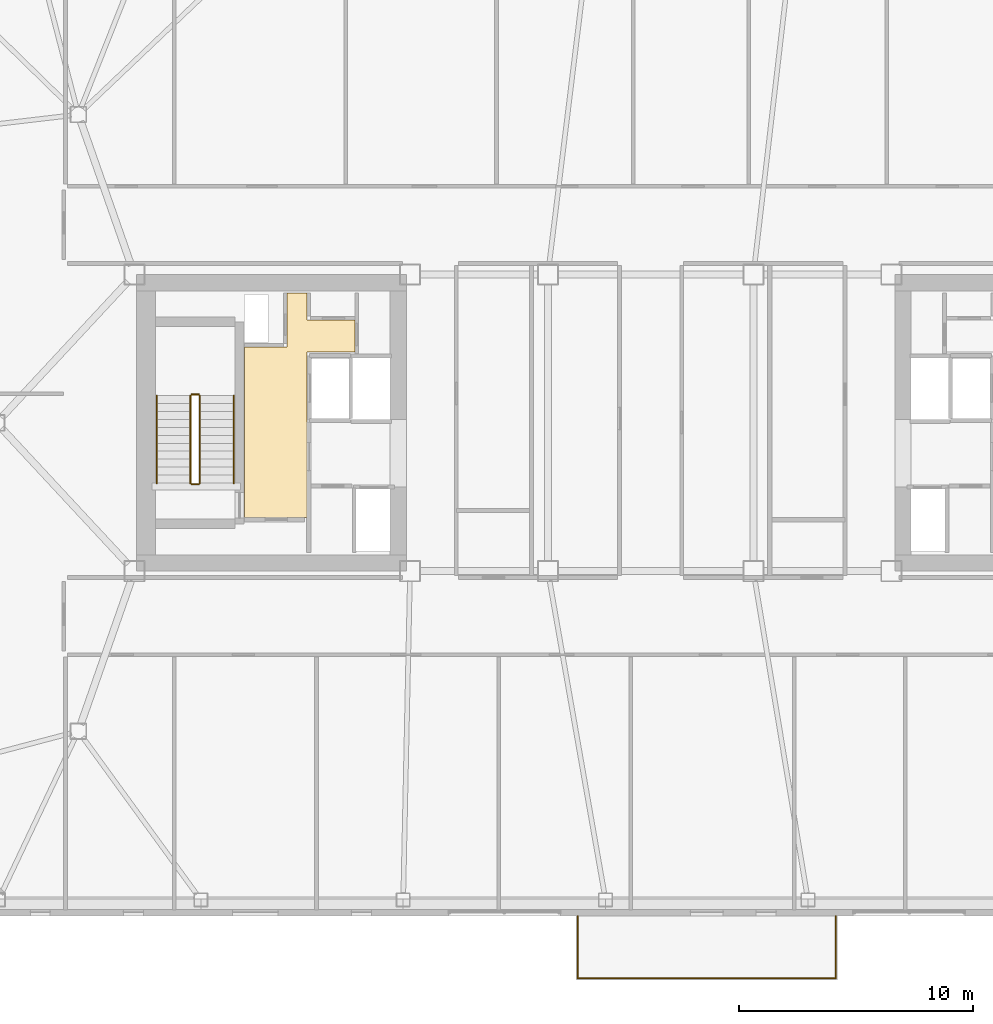
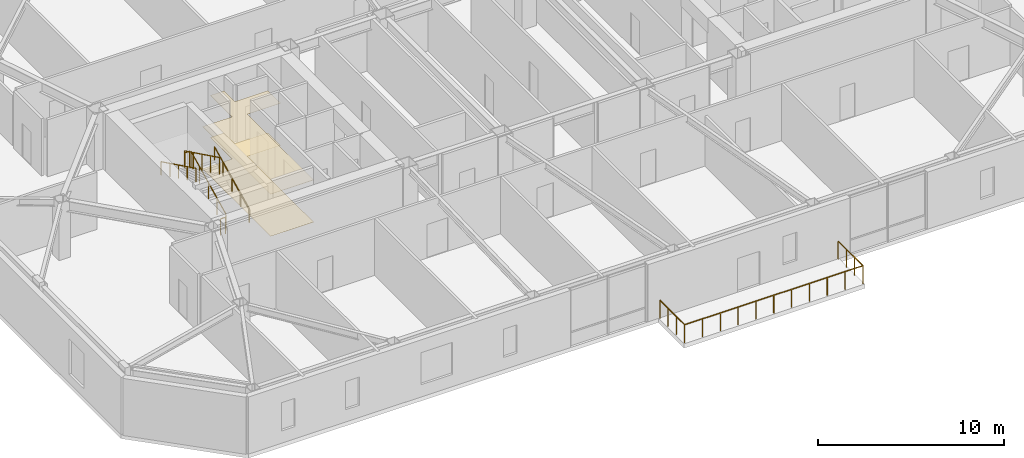
# One storey, part 18 of 19: 7 railings, 2 coverings.
"""IFC4 building model written with IfcOpenShell, lengths in metres."""

from ifc_helpers import new_model, si_unit, direction, frame, origin, origin_2d, place, context, subcontext, project, spatial, polyline, rectangle, outline, extrude, material, layer, layer_set, type_object, element, save


model = new_model("IFC4")

# Units and contexts
model_context = context("Model", 3, precision=1e-05, world=origin(), true_north=direction((0.0, 1.0)))
body_context = subcontext(model_context, "Body", "Model", "MODEL_VIEW")
ifc_project = project(units=[si_unit("LENGTHUNIT", "METRE"), si_unit("AREAUNIT", "SQUARE_METRE"), si_unit("VOLUMEUNIT", "CUBIC_METRE"), si_unit("PLANEANGLEUNIT", "RADIAN"), si_unit("MASSUNIT", "GRAM", prefix="KILO")], contexts=[model_context])

# Site, building, storey
site_placement = place(None, origin())
site = spatial("IfcSite", under=ifc_project, at=site_placement, CompositionType="ELEMENT")
building_placement = place(site_placement, origin())
building = spatial("IfcBuilding", under=site, at=building_placement, Name="Tavrogorsk Clinical Tower", CompositionType="ELEMENT")
storey_placement = place(building_placement, frame((0.0, 0.0, 188.199951171875)))
storey = spatial("IfcBuildingStorey", under=building, at=storey_placement, Name="L43", CompositionType="ELEMENT", Elevation=188.199951171875)

# Coverings
ifc_material_1 = material(Name="Antibacterial micro-perforated aluminium ceiling", Category="aluminium")
ifc_layer_1 = layer(ifc_material_1, 0.014892578125)
ifc_layer_set_1 = layer_set([ifc_layer_1], Name="Antibacterial micro-perforated aluminium ceiling")
covering_type_1 = type_object("IfcCoveringType", Name="ClinicalCeiling_15", PredefinedType="CEILING", material=ifc_layer_set_1)
covering_1_placement = place(storey_placement, frame((0.0, 0.0, 2.75)))
element("IfcCovering", 1, at=covering_1_placement, inside=storey, type_object=covering_type_1, Name="Core West Firefighting Lift Lobby Acoustic Ceiling", PredefinedType="CEILING", context=body_context, shape_type="SweptSolid", body=[
    extrude(outline(polyline([(-17.3798828125, -4.06005859375), (-17.3798828125, 3.239990234375), (-15.56005859375, 3.239990234375), (-15.56005859375, 5.56005859375), (-14.719970703125, 5.56005859375), (-14.719970703125, 4.39990234375), (-12.659912109375, 4.39990234375), (-12.659912109375, 3.0400390625), (-14.719970703125, 3.0400390625), (-14.719970703125, -4.06005859375), (-17.3798828125, -4.06005859375)])), origin(), (0.0, 0.0, 1.0), 0.01513671875),
])
ifc_material_2 = material(Name="Homogeneous medical conductive PVC flooring")
ifc_layer_2 = layer(ifc_material_2, 0.008056640625)
ifc_layer_set_2 = layer_set([ifc_layer_2], Name="Homogeneous medical conductive PVC flooring")
covering_type_2 = type_object("IfcCoveringType", Name="ResilientVinylFloor_8", PredefinedType="FLOORING", material=ifc_layer_set_2)
covering_2_placement = place(storey_placement, origin())
element("IfcCovering", 2, at=covering_2_placement, inside=storey, type_object=covering_type_2, Name="Core West Firefighting Lift Lobby Conductive Vinyl Flooring", PredefinedType="FLOORING", context=body_context, shape_type="SweptSolid", body=[
    extrude(outline(polyline([(-17.3798828125, -4.06005859375), (-17.3798828125, 3.239990234375), (-15.56005859375, 3.239990234375), (-15.56005859375, 5.56005859375), (-14.719970703125, 5.56005859375), (-14.719970703125, 4.39990234375), (-12.659912109375, 4.39990234375), (-12.659912109375, 3.0400390625), (-14.719970703125, 3.0400390625), (-14.719970703125, -4.06005859375), (-17.3798828125, -4.06005859375)])), origin(), (0.0, 0.0, 1.0), 0.008056640625),
])

# Railings
ifc_material_3 = material(Name="Galvanised steel S355 safety stairwell guard", Category="steel")
ifc_layer_3 = layer(ifc_material_3, 0.06005859375)
ifc_layer_set_3 = layer_set([ifc_layer_3], Name="Galvanised steel S355 safety stairwell guard")
railing_type_1 = type_object("IfcRailingType", Name="StairGuard_1150", PredefinedType="GUARDRAIL", material=ifc_layer_set_3)
railing_1_placement = place(storey_placement, frame((-19.300048828125, -2.574951171875, 0.166748046875)))
element("IfcRailing", 3, at=railing_1_placement, inside=storey, type_object=railing_type_1, Name="L43 ST-W stair guard 1", PredefinedType="GUARDRAIL", context=body_context, shape_type="SweptSolid", body=[
    extrude(rectangle(XDim=0.048095703125, YDim=0.048095703125, at=origin_2d()), frame((0.0, 0.0, 1.076171875), z_axis=(0.0, 0.897927990467, 0.440142390523), x_axis=(-1.0, 0.0, 0.0)), (0.0, 0.0, 1.0), 4.1650390625),
    extrude(rectangle(XDim=0.0419921875, YDim=0.0419921875, at=origin_2d()), origin(), (0.0, 0.0, 1.0), 1.052001953125),
    extrude(rectangle(XDim=0.0419921875, YDim=0.0419921875, at=origin_2d()), frame((0.0, 0.93505859375, 0.458251953125)), (0.0, 0.0, 1.0), 1.052001953125),
    extrude(rectangle(XDim=0.0419921875, YDim=0.0419921875, at=origin_2d()), frame((0.0, 1.8701171875, 0.91650390625)), (0.0, 0.0, 1.0), 1.052001953125),
    extrude(rectangle(XDim=0.0419921875, YDim=0.0419921875, at=origin_2d()), frame((0.0, 2.804931640625, 1.375)), (0.0, 0.0, 1.0), 1.052001953125),
    extrude(rectangle(XDim=0.0419921875, YDim=0.0419921875, at=origin_2d()), frame((0.0, 3.739990234375, 1.833251953125)), (0.0, 0.0, 1.0), 1.052001953125),
])
railing_2_placement = place(storey_placement, frame((-19.35009765625, 1.215087890625, 2.0)))
element("IfcRailing", 4, at=railing_2_placement, inside=storey, type_object=railing_type_1, Name="L43 ST-W stair guard 2", PredefinedType="GUARDRAIL", context=body_context, shape_type="SweptSolid", body=[
    extrude(rectangle(XDim=0.048095703125, YDim=0.048095703125, at=origin_2d()), frame((0.0, 0.0, 1.076171875), z_axis=(-1.0, 0.0, 0.0), x_axis=(0.0, -1.0, 0.0)), (0.0, 0.0, 1.0), 0.2998046875),
    extrude(rectangle(XDim=0.0419921875, YDim=0.0419921875, at=origin_2d()), origin(), (0.0, 0.0, 1.0), 1.052001953125),
    extrude(rectangle(XDim=0.0419921875, YDim=0.0419921875, at=origin_2d()), frame((-0.2998046875, 0.0, 0.0)), (0.0, 0.0, 1.0), 1.052001953125),
])
railing_3_placement = place(storey_placement, frame((-19.699951171875, 1.1650390625, 2.166748046875)))
element("IfcRailing", 5, at=railing_3_placement, inside=storey, type_object=railing_type_1, Name="L43 ST-W stair guard 3", PredefinedType="GUARDRAIL", context=body_context, shape_type="SweptSolid", body=[
    extrude(rectangle(XDim=0.048095703125, YDim=0.048095703125, at=origin_2d()), frame((0.0, 0.0, 1.076171875), z_axis=(0.0, -0.897927990467, 0.440142390523), x_axis=(1.0, 0.0, 0.0)), (0.0, 0.0, 1.0), 4.1650390625),
    extrude(rectangle(XDim=0.0419921875, YDim=0.0419921875, at=origin_2d()), origin(), (0.0, 0.0, 1.0), 1.052001953125),
    extrude(rectangle(XDim=0.0419921875, YDim=0.0419921875, at=origin_2d()), frame((0.0, -0.93505859375, 0.458251953125)), (0.0, 0.0, 1.0), 1.052001953125),
    extrude(rectangle(XDim=0.0419921875, YDim=0.0419921875, at=origin_2d()), frame((0.0, -1.8701171875, 0.91650390625)), (0.0, 0.0, 1.0), 1.052001953125),
    extrude(rectangle(XDim=0.0419921875, YDim=0.0419921875, at=origin_2d()), frame((0.0, -2.804931640625, 1.375)), (0.0, 0.0, 1.0), 1.052001953125),
    extrude(rectangle(XDim=0.0419921875, YDim=0.0419921875, at=origin_2d()), frame((0.0, -3.739990234375, 1.833251953125)), (0.0, 0.0, 1.0), 1.052001953125),
])
railing_4_placement = place(storey_placement, frame((-19.35009765625, -2.625, 0.0)))
element("IfcRailing", 6, at=railing_4_placement, inside=storey, type_object=railing_type_1, Name="L43 ST-W stair guard 4", PredefinedType="GUARDRAIL", context=body_context, shape_type="SweptSolid", body=[
    extrude(rectangle(XDim=0.048095703125, YDim=0.048095703125, at=origin_2d()), frame((0.0, 0.0, 1.076171875), z_axis=(-1.0, 0.0, 0.0), x_axis=(0.0, -1.0, 0.0)), (0.0, 0.0, 1.0), 0.2998046875),
    extrude(rectangle(XDim=0.0419921875, YDim=0.0419921875, at=origin_2d()), origin(), (0.0, 0.0, 1.0), 1.052001953125),
    extrude(rectangle(XDim=0.0419921875, YDim=0.0419921875, at=origin_2d()), frame((-0.2998046875, 0.0, 0.0)), (0.0, 0.0, 1.0), 1.052001953125),
])
ifc_material_4 = material(Name="Stainless steel AISI 304 tubular handrail", Category="steel")
ifc_layer_4 = layer(ifc_material_4, 0.050048828125)
ifc_layer_set_4 = layer_set([ifc_layer_4], Name="Stainless steel AISI 304 tubular handrail")
railing_type_2 = type_object("IfcRailingType", Name="StairHandrail_920", PredefinedType="HANDRAIL", material=ifc_layer_set_4)
railing_5_placement = place(storey_placement, frame((-17.85009765625, -2.574951171875, 0.166748046875)))
element("IfcRailing", 7, at=railing_5_placement, inside=storey, type_object=railing_type_2, Name="L43 ST-W stair handrail 1", PredefinedType="HANDRAIL", context=body_context, shape_type="SweptSolid", body=[
    extrude(rectangle(XDim=0.048095703125, YDim=0.048095703125, at=origin_2d()), frame((0.0, 0.0, 0.8759765625), z_axis=(0.0, 0.897927990467, 0.440142390523), x_axis=(-1.0, 0.0, 0.0)), (0.0, 0.0, 1.0), 4.1650390625),
    extrude(rectangle(XDim=0.0419921875, YDim=0.0419921875, at=origin_2d()), origin(), (0.0, 0.0, 1.0), 0.851806640625),
    extrude(rectangle(XDim=0.0419921875, YDim=0.0419921875, at=origin_2d()), frame((0.0, 0.93505859375, 0.458251953125)), (0.0, 0.0, 1.0), 0.851806640625),
    extrude(rectangle(XDim=0.0419921875, YDim=0.0419921875, at=origin_2d()), frame((0.0, 1.8701171875, 0.91650390625)), (0.0, 0.0, 1.0), 0.851806640625),
    extrude(rectangle(XDim=0.0419921875, YDim=0.0419921875, at=origin_2d()), frame((0.0, 2.804931640625, 1.375)), (0.0, 0.0, 1.0), 0.851806640625),
    extrude(rectangle(XDim=0.0419921875, YDim=0.0419921875, at=origin_2d()), frame((0.0, 3.739990234375, 1.833251953125)), (0.0, 0.0, 1.0), 0.851806640625),
])
railing_6_placement = place(storey_placement, frame((-21.14990234375, 1.1650390625, 2.166748046875)))
element("IfcRailing", 8, at=railing_6_placement, inside=storey, type_object=railing_type_2, Name="L43 ST-W stair handrail 2", PredefinedType="HANDRAIL", context=body_context, shape_type="SweptSolid", body=[
    extrude(rectangle(XDim=0.048095703125, YDim=0.048095703125, at=origin_2d()), frame((0.0, 0.0, 0.8759765625), z_axis=(0.0, -0.897927990467, 0.440142390523), x_axis=(1.0, 0.0, 0.0)), (0.0, 0.0, 1.0), 4.1650390625),
    extrude(rectangle(XDim=0.0419921875, YDim=0.0419921875, at=origin_2d()), origin(), (0.0, 0.0, 1.0), 0.851806640625),
    extrude(rectangle(XDim=0.0419921875, YDim=0.0419921875, at=origin_2d()), frame((0.0, -0.93505859375, 0.458251953125)), (0.0, 0.0, 1.0), 0.851806640625),
    extrude(rectangle(XDim=0.0419921875, YDim=0.0419921875, at=origin_2d()), frame((0.0, -1.8701171875, 0.91650390625)), (0.0, 0.0, 1.0), 0.851806640625),
    extrude(rectangle(XDim=0.0419921875, YDim=0.0419921875, at=origin_2d()), frame((0.0, -2.804931640625, 1.375)), (0.0, 0.0, 1.0), 0.851806640625),
    extrude(rectangle(XDim=0.0419921875, YDim=0.0419921875, at=origin_2d()), frame((0.0, -3.739990234375, 1.833251953125)), (0.0, 0.0, 1.0), 0.851806640625),
])
ifc_material_5 = material(Name="Stainless steel AISI 316 and laminated glass balustrade", Category="steel")
ifc_layer_5 = layer(ifc_material_5, 0.090087890625)
ifc_layer_set_5 = layer_set([ifc_layer_5], Name="Stainless steel AISI 316 and laminated glass balustrade")
railing_type_3 = type_object("IfcRailingType", Name="TerraceGuardRailing_1200", PredefinedType="BALUSTRADE", material=ifc_layer_set_5)
railing_7_placement = place(storey_placement, frame((-3.1201171875, -21.1201171875, 0.0)))
element("IfcRailing", 9, at=railing_7_placement, inside=storey, type_object=railing_type_3, Name="L43 Spiralling Terrace Balustrade GD-01", PredefinedType="BALUSTRADE", context=body_context, shape_type="SweptSolid", body=[
    extrude(rectangle(XDim=0.048095703125, YDim=0.048095703125, at=origin_2d()), frame((0.0, 0.0, 1.17578125), z_axis=(0.0, -1.0, 0.0), x_axis=(1.0, 0.0, 0.0)), (0.0, 0.0, 1.0), 2.64990234375),
    extrude(rectangle(XDim=0.048095703125, YDim=0.048095703125, at=origin_2d()), frame((0.0, -2.64990234375, 1.17578125), z_axis=(1.0, 0.0, 0.0), x_axis=(0.0, 1.0, 0.0)), (0.0, 0.0, 1.0), 11.0400390625),
    extrude(rectangle(XDim=0.048095703125, YDim=0.048095703125, at=origin_2d()), frame((11.0400390625, -2.64990234375, 1.17578125), z_axis=(0.0, 1.0, 0.0), x_axis=(-1.0, 0.0, 0.0)), (0.0, 0.0, 1.0), 2.64990234375),
    extrude(rectangle(XDim=0.0419921875, YDim=0.0419921875, at=origin_2d()), origin(), (0.0, 0.0, 1.0), 1.15185546875),
    extrude(rectangle(XDim=0.0419921875, YDim=0.0419921875, at=origin_2d()), frame((0.0, -0.88330078125, 0.0)), (0.0, 0.0, 1.0), 1.15185546875),
    extrude(rectangle(XDim=0.0419921875, YDim=0.0419921875, at=origin_2d()), frame((0.0, -1.7666015625, 0.0)), (0.0, 0.0, 1.0), 1.15185546875),
    extrude(rectangle(XDim=0.0419921875, YDim=0.0419921875, at=origin_2d()), frame((0.0, -2.64990234375, 0.0)), (0.0, 0.0, 1.0), 1.15185546875),
    extrude(rectangle(XDim=0.0419921875, YDim=0.0419921875, at=origin_2d()), frame((1.10400390625, -2.64990234375, 0.0)), (0.0, 0.0, 1.0), 1.15185546875),
    extrude(rectangle(XDim=0.0419921875, YDim=0.0419921875, at=origin_2d()), frame((2.2080078125, -2.64990234375, 0.0)), (0.0, 0.0, 1.0), 1.15185546875),
    extrude(rectangle(XDim=0.0419921875, YDim=0.0419921875, at=origin_2d()), frame((3.31201171875, -2.64990234375, 0.0)), (0.0, 0.0, 1.0), 1.15185546875),
    extrude(rectangle(XDim=0.0419921875, YDim=0.0419921875, at=origin_2d()), frame((4.416015625, -2.64990234375, 0.0)), (0.0, 0.0, 1.0), 1.15185546875),
    extrude(rectangle(XDim=0.0419921875, YDim=0.0419921875, at=origin_2d()), frame((5.52001953125, -2.64990234375, 0.0)), (0.0, 0.0, 1.0), 1.15185546875),
    extrude(rectangle(XDim=0.0419921875, YDim=0.0419921875, at=origin_2d()), frame((6.6240234375, -2.64990234375, 0.0)), (0.0, 0.0, 1.0), 1.15185546875),
    extrude(rectangle(XDim=0.0419921875, YDim=0.0419921875, at=origin_2d()), frame((7.72802734375, -2.64990234375, 0.0)), (0.0, 0.0, 1.0), 1.15185546875),
    extrude(rectangle(XDim=0.0419921875, YDim=0.0419921875, at=origin_2d()), frame((8.83203125, -2.64990234375, 0.0)), (0.0, 0.0, 1.0), 1.15185546875),
    extrude(rectangle(XDim=0.0419921875, YDim=0.0419921875, at=origin_2d()), frame((9.93603515625, -2.64990234375, 0.0)), (0.0, 0.0, 1.0), 1.15185546875),
    extrude(rectangle(XDim=0.0419921875, YDim=0.0419921875, at=origin_2d()), frame((11.0400390625, -2.64990234375, 0.0)), (0.0, 0.0, 1.0), 1.15185546875),
    extrude(rectangle(XDim=0.0419921875, YDim=0.0419921875, at=origin_2d()), frame((11.0400390625, -1.7666015625, 0.0)), (0.0, 0.0, 1.0), 1.15185546875),
    extrude(rectangle(XDim=0.0419921875, YDim=0.0419921875, at=origin_2d()), frame((11.0400390625, -0.88330078125, 0.0)), (0.0, 0.0, 1.0), 1.15185546875),
    extrude(rectangle(XDim=0.0419921875, YDim=0.0419921875, at=origin_2d()), frame((11.0400390625, 0.0, 0.0)), (0.0, 0.0, 1.0), 1.15185546875),
])

save(model, "model.ifc")
